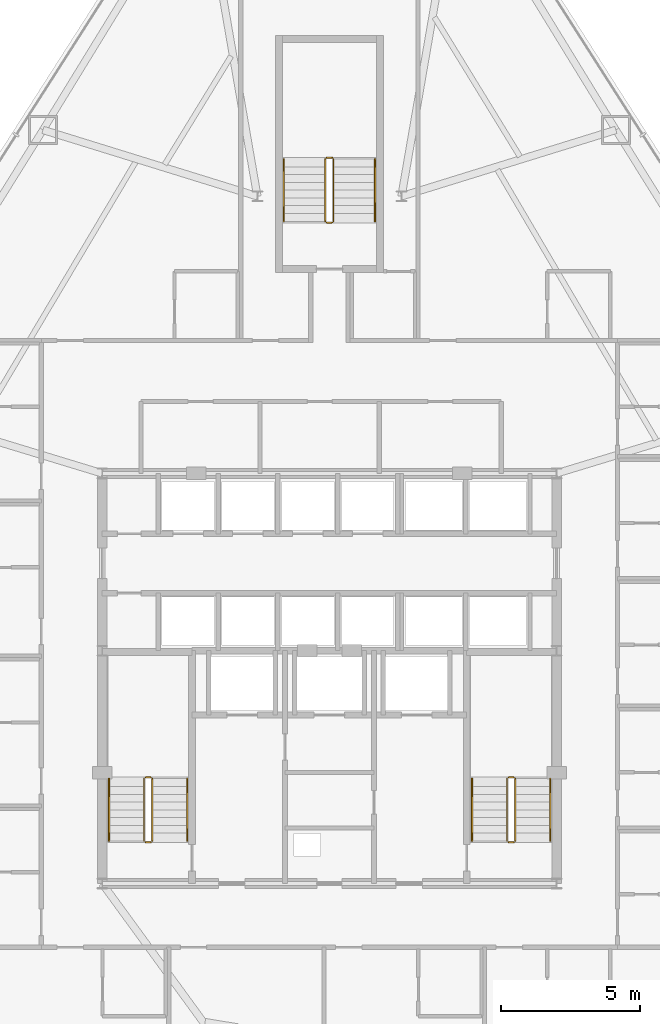
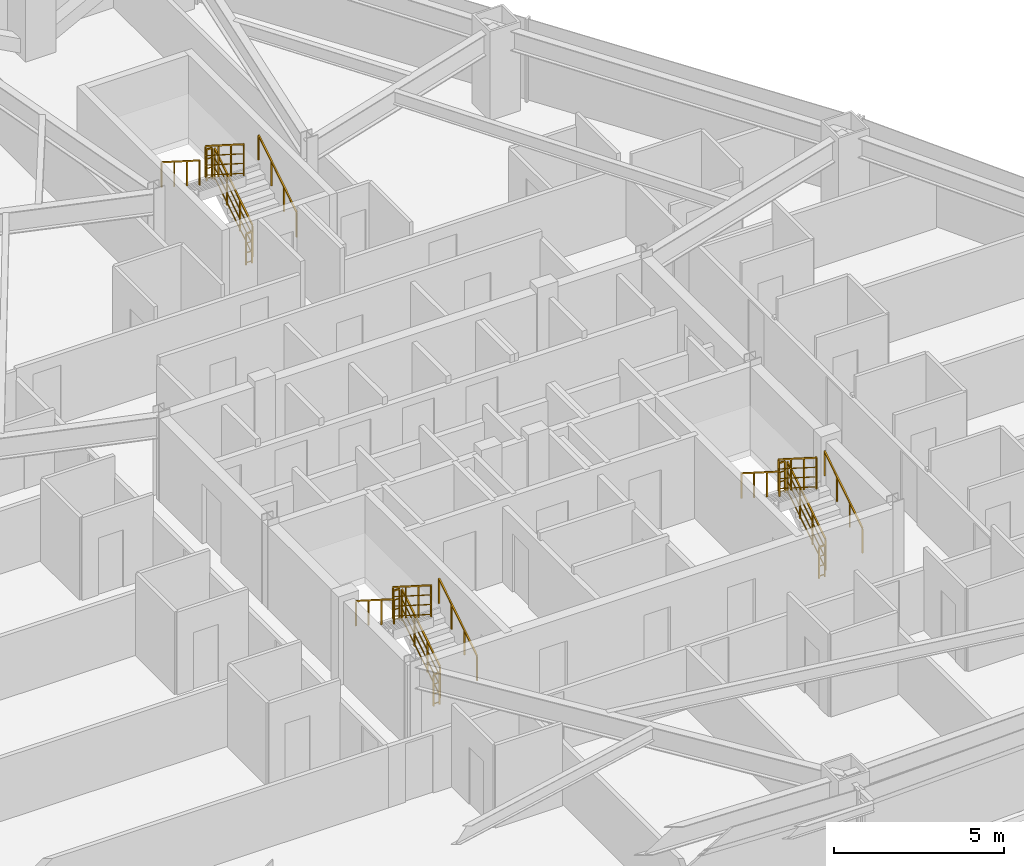
# One storey, part 13 of 13: 18 railings.
"""IFC4 building model written with IfcOpenShell, lengths in metres."""

from ifc_helpers import new_model, si_unit, direction, frame, origin, origin_2d, place, context, subcontext, project, spatial, rectangle, extrude, material, type_object, element, save


model = new_model("IFC4")

# Units and contexts
model_context = context("Model", 3, precision=1e-05, world=origin(), true_north=direction((0.0, 1.0)))
body_context = subcontext(model_context, "Body", "Model", "MODEL_VIEW")
ifc_project = project(units=[si_unit("LENGTHUNIT", "METRE"), si_unit("AREAUNIT", "SQUARE_METRE"), si_unit("VOLUMEUNIT", "CUBIC_METRE"), si_unit("PLANEANGLEUNIT", "RADIAN"), si_unit("MASSUNIT", "GRAM", prefix="KILO")], contexts=[model_context])

# Site, building, storey
site_placement = place(None, origin())
site = spatial("IfcSite", under=ifc_project, at=site_placement, CompositionType="ELEMENT")
building_placement = place(site_placement, origin())
building = spatial("IfcBuilding", under=site, at=building_placement, Name="Varakhsha Concourse Tower", CompositionType="ELEMENT")
storey_placement = place(building_placement, frame((0.0, 0.0, 89.39990234375)))
storey = spatial("IfcBuildingStorey", under=building, at=storey_placement, Name="L25", CompositionType="ELEMENT", Elevation=89.39990234375)

# Railings
ifc_material = material(Name="Brushed Austenitic Stainless Steel AISI 316", Category="steel")
railing_type_1 = type_object("IfcRailingType", Name="RL-STAIR-GUARD-1100", PredefinedType="GUARDRAIL", material=ifc_material)
railing_1_placement = place(storey_placement, frame((33.610107421875, 17.93994140625, 0.177978515625)))
element("IfcRailing", 1, at=railing_1_placement, inside=storey, type_object=railing_type_1, Name="L25 ST1 stair guard 1", PredefinedType="GUARDRAIL", context=body_context, shape_type="SweptSolid", body=[
    extrude(rectangle(XDim=0.048095703125, YDim=0.048095703125, at=origin_2d()), frame((0.0, 0.0, 1.1259765625), z_axis=(0.0, 0.8442293374, 0.53598211339), x_axis=(-1.0, 0.0, 0.0)), (0.0, 0.0, 1.0), 2.6533203125),
    extrude(rectangle(XDim=0.028076171875, YDim=0.028076171875, at=origin_2d()), frame((0.0, 0.0, 0.080078125), z_axis=(0.0, 0.8442293374, 0.53598211339), x_axis=(-1.0, 0.0, 0.0)), (0.0, 0.0, 1.0), 2.6533203125),
    extrude(rectangle(XDim=0.028076171875, YDim=0.028076171875, at=origin_2d()), frame((0.0, 0.0, 0.43701171875), z_axis=(0.0, 0.8442293374, 0.53598211339), x_axis=(-1.0, 0.0, 0.0)), (0.0, 0.0, 1.0), 2.6533203125),
    extrude(rectangle(XDim=0.028076171875, YDim=0.028076171875, at=origin_2d()), frame((0.0, 0.0, 0.781982421875), z_axis=(0.0, 0.8442293374, 0.53598211339), x_axis=(-1.0, 0.0, 0.0)), (0.0, 0.0, 1.0), 2.6533203125),
    extrude(rectangle(XDim=0.0419921875, YDim=0.0419921875, at=origin_2d()), origin(), (0.0, 0.0, 1.0), 1.101806640625),
    extrude(rectangle(XDim=0.0419921875, YDim=0.0419921875, at=origin_2d()), frame((0.0, 0.74658203125, 0.47412109375)), (0.0, 0.0, 1.0), 1.101806640625),
    extrude(rectangle(XDim=0.0419921875, YDim=0.0419921875, at=origin_2d()), frame((0.0, 1.493408203125, 0.947998046875)), (0.0, 0.0, 1.0), 1.101806640625),
    extrude(rectangle(XDim=0.0419921875, YDim=0.0419921875, at=origin_2d()), frame((0.0, 2.239990234375, 1.422119140625)), (0.0, 0.0, 1.0), 1.101806640625),
])
railing_2_placement = place(storey_placement, frame((33.56005859375, 20.22998046875, 1.60009765625)))
element("IfcRailing", 2, at=railing_2_placement, inside=storey, type_object=railing_type_1, Name="L25 ST1 stair guard 2", PredefinedType="GUARDRAIL", context=body_context, shape_type="SweptSolid", body=[
    extrude(rectangle(XDim=0.048095703125, YDim=0.048095703125, at=origin_2d()), frame((0.0, 0.0, 1.1259765625), z_axis=(-1.0, 0.0, 0.0), x_axis=(0.0, -1.0, 0.0)), (0.0, 0.0, 1.0), 0.199951171875),
    extrude(rectangle(XDim=0.028076171875, YDim=0.028076171875, at=origin_2d()), frame((0.0, 0.0, 0.080078125), z_axis=(-1.0, 0.0, 0.0), x_axis=(0.0, -1.0, 0.0)), (0.0, 0.0, 1.0), 0.199951171875),
    extrude(rectangle(XDim=0.028076171875, YDim=0.028076171875, at=origin_2d()), frame((0.0, 0.0, 0.43701171875), z_axis=(-1.0, 0.0, 0.0), x_axis=(0.0, -1.0, 0.0)), (0.0, 0.0, 1.0), 0.199951171875),
    extrude(rectangle(XDim=0.028076171875, YDim=0.028076171875, at=origin_2d()), frame((0.0, 0.0, 0.781982421875), z_axis=(-1.0, 0.0, 0.0), x_axis=(0.0, -1.0, 0.0)), (0.0, 0.0, 1.0), 0.199951171875),
    extrude(rectangle(XDim=0.0419921875, YDim=0.0419921875, at=origin_2d()), origin(), (0.0, 0.0, 1.0), 1.101806640625),
    extrude(rectangle(XDim=0.0419921875, YDim=0.0419921875, at=origin_2d()), frame((-0.199951171875, 0.0, 0.0)), (0.0, 0.0, 1.0), 1.101806640625),
])
railing_3_placement = place(storey_placement, frame((33.31005859375, 20.179931640625, 1.77783203125)))
element("IfcRailing", 3, at=railing_3_placement, inside=storey, type_object=railing_type_1, Name="L25 ST1 stair guard 3", PredefinedType="GUARDRAIL", context=body_context, shape_type="SweptSolid", body=[
    extrude(rectangle(XDim=0.048095703125, YDim=0.048095703125, at=origin_2d()), frame((0.0, 0.0, 1.1259765625), z_axis=(0.0, -0.84418770128, 0.536047689118), x_axis=(1.0, 0.0, 0.0)), (0.0, 0.0, 1.0), 2.6533203125),
    extrude(rectangle(XDim=0.028076171875, YDim=0.028076171875, at=origin_2d()), frame((0.0, 0.0, 0.080078125), z_axis=(0.0, -0.84418770128, 0.536047689118), x_axis=(1.0, 0.0, 0.0)), (0.0, 0.0, 1.0), 2.6533203125),
    extrude(rectangle(XDim=0.028076171875, YDim=0.028076171875, at=origin_2d()), frame((0.0, 0.0, 0.43701171875), z_axis=(0.0, -0.84418770128, 0.536047689118), x_axis=(1.0, 0.0, 0.0)), (0.0, 0.0, 1.0), 2.6533203125),
    extrude(rectangle(XDim=0.028076171875, YDim=0.028076171875, at=origin_2d()), frame((0.0, 0.0, 0.781982421875), z_axis=(0.0, -0.84418770128, 0.536047689118), x_axis=(1.0, 0.0, 0.0)), (0.0, 0.0, 1.0), 2.6533203125),
    extrude(rectangle(XDim=0.0419921875, YDim=0.0419921875, at=origin_2d()), origin(), (0.0, 0.0, 1.0), 1.101806640625),
    extrude(rectangle(XDim=0.0419921875, YDim=0.0419921875, at=origin_2d()), frame((0.0, -0.74658203125, 0.47412109375)), (0.0, 0.0, 1.0), 1.101806640625),
    extrude(rectangle(XDim=0.0419921875, YDim=0.0419921875, at=origin_2d()), frame((0.0, -1.493408203125, 0.9482421875)), (0.0, 0.0, 1.0), 1.101806640625),
    extrude(rectangle(XDim=0.0419921875, YDim=0.0419921875, at=origin_2d()), frame((0.0, -2.239990234375, 1.42236328125)), (0.0, 0.0, 1.0), 1.101806640625),
])
railing_4_placement = place(storey_placement, frame((33.56005859375, 17.889892578125, 0.0)))
element("IfcRailing", 4, at=railing_4_placement, inside=storey, type_object=railing_type_1, Name="L25 ST1 stair guard 4", PredefinedType="GUARDRAIL", context=body_context, shape_type="SweptSolid", body=[
    extrude(rectangle(XDim=0.048095703125, YDim=0.048095703125, at=origin_2d()), frame((0.0, 0.0, 1.1259765625), z_axis=(-1.0, 0.0, 0.0), x_axis=(0.0, -1.0, 0.0)), (0.0, 0.0, 1.0), 0.199951171875),
    extrude(rectangle(XDim=0.028076171875, YDim=0.028076171875, at=origin_2d()), frame((0.0, 0.0, 0.080078125), z_axis=(-1.0, 0.0, 0.0), x_axis=(0.0, -1.0, 0.0)), (0.0, 0.0, 1.0), 0.199951171875),
    extrude(rectangle(XDim=0.028076171875, YDim=0.028076171875, at=origin_2d()), frame((0.0, 0.0, 0.43701171875), z_axis=(-1.0, 0.0, 0.0), x_axis=(0.0, -1.0, 0.0)), (0.0, 0.0, 1.0), 0.199951171875),
    extrude(rectangle(XDim=0.028076171875, YDim=0.028076171875, at=origin_2d()), frame((0.0, 0.0, 0.781982421875), z_axis=(-1.0, 0.0, 0.0), x_axis=(0.0, -1.0, 0.0)), (0.0, 0.0, 1.0), 0.199951171875),
    extrude(rectangle(XDim=0.0419921875, YDim=0.0419921875, at=origin_2d()), origin(), (0.0, 0.0, 1.0), 1.101806640625),
    extrude(rectangle(XDim=0.0419921875, YDim=0.0419921875, at=origin_2d()), frame((-0.199951171875, 0.0, 0.0)), (0.0, 0.0, 1.0), 1.101806640625),
])
railing_5_placement = place(storey_placement, frame((46.7099609375, 17.93994140625, 0.177978515625)))
element("IfcRailing", 5, at=railing_5_placement, inside=storey, type_object=railing_type_1, Name="L25 ST2 stair guard 1", PredefinedType="GUARDRAIL", context=body_context, shape_type="SweptSolid", body=[
    extrude(rectangle(XDim=0.048095703125, YDim=0.048095703125, at=origin_2d()), frame((0.0, 0.0, 1.1259765625), z_axis=(0.0, 0.8442293374, 0.53598211339), x_axis=(-1.0, 0.0, 0.0)), (0.0, 0.0, 1.0), 2.6533203125),
    extrude(rectangle(XDim=0.028076171875, YDim=0.028076171875, at=origin_2d()), frame((0.0, 0.0, 0.080078125), z_axis=(0.0, 0.8442293374, 0.53598211339), x_axis=(-1.0, 0.0, 0.0)), (0.0, 0.0, 1.0), 2.6533203125),
    extrude(rectangle(XDim=0.028076171875, YDim=0.028076171875, at=origin_2d()), frame((0.0, 0.0, 0.43701171875), z_axis=(0.0, 0.8442293374, 0.53598211339), x_axis=(-1.0, 0.0, 0.0)), (0.0, 0.0, 1.0), 2.6533203125),
    extrude(rectangle(XDim=0.028076171875, YDim=0.028076171875, at=origin_2d()), frame((0.0, 0.0, 0.781982421875), z_axis=(0.0, 0.8442293374, 0.53598211339), x_axis=(-1.0, 0.0, 0.0)), (0.0, 0.0, 1.0), 2.6533203125),
    extrude(rectangle(XDim=0.0419921875, YDim=0.0419921875, at=origin_2d()), origin(), (0.0, 0.0, 1.0), 1.101806640625),
    extrude(rectangle(XDim=0.0419921875, YDim=0.0419921875, at=origin_2d()), frame((0.0, 0.74658203125, 0.47412109375)), (0.0, 0.0, 1.0), 1.101806640625),
    extrude(rectangle(XDim=0.0419921875, YDim=0.0419921875, at=origin_2d()), frame((0.0, 1.493408203125, 0.947998046875)), (0.0, 0.0, 1.0), 1.101806640625),
    extrude(rectangle(XDim=0.0419921875, YDim=0.0419921875, at=origin_2d()), frame((0.0, 2.239990234375, 1.422119140625)), (0.0, 0.0, 1.0), 1.101806640625),
])
railing_6_placement = place(storey_placement, frame((46.659912109375, 20.22998046875, 1.60009765625)))
element("IfcRailing", 6, at=railing_6_placement, inside=storey, type_object=railing_type_1, Name="L25 ST2 stair guard 2", PredefinedType="GUARDRAIL", context=body_context, shape_type="SweptSolid", body=[
    extrude(rectangle(XDim=0.048095703125, YDim=0.048095703125, at=origin_2d()), frame((0.0, 0.0, 1.1259765625), z_axis=(-1.0, 0.0, 0.0), x_axis=(0.0, -1.0, 0.0)), (0.0, 0.0, 1.0), 0.199951171875),
    extrude(rectangle(XDim=0.028076171875, YDim=0.028076171875, at=origin_2d()), frame((0.0, 0.0, 0.080078125), z_axis=(-1.0, 0.0, 0.0), x_axis=(0.0, -1.0, 0.0)), (0.0, 0.0, 1.0), 0.199951171875),
    extrude(rectangle(XDim=0.028076171875, YDim=0.028076171875, at=origin_2d()), frame((0.0, 0.0, 0.43701171875), z_axis=(-1.0, 0.0, 0.0), x_axis=(0.0, -1.0, 0.0)), (0.0, 0.0, 1.0), 0.199951171875),
    extrude(rectangle(XDim=0.028076171875, YDim=0.028076171875, at=origin_2d()), frame((0.0, 0.0, 0.781982421875), z_axis=(-1.0, 0.0, 0.0), x_axis=(0.0, -1.0, 0.0)), (0.0, 0.0, 1.0), 0.199951171875),
    extrude(rectangle(XDim=0.0419921875, YDim=0.0419921875, at=origin_2d()), origin(), (0.0, 0.0, 1.0), 1.101806640625),
    extrude(rectangle(XDim=0.0419921875, YDim=0.0419921875, at=origin_2d()), frame((-0.199951171875, 0.0, 0.0)), (0.0, 0.0, 1.0), 1.101806640625),
])
railing_7_placement = place(storey_placement, frame((46.409912109375, 20.179931640625, 1.77783203125)))
element("IfcRailing", 7, at=railing_7_placement, inside=storey, type_object=railing_type_1, Name="L25 ST2 stair guard 3", PredefinedType="GUARDRAIL", context=body_context, shape_type="SweptSolid", body=[
    extrude(rectangle(XDim=0.048095703125, YDim=0.048095703125, at=origin_2d()), frame((0.0, 0.0, 1.1259765625), z_axis=(0.0, -0.84418770128, 0.536047689118), x_axis=(1.0, 0.0, 0.0)), (0.0, 0.0, 1.0), 2.6533203125),
    extrude(rectangle(XDim=0.028076171875, YDim=0.028076171875, at=origin_2d()), frame((0.0, 0.0, 0.080078125), z_axis=(0.0, -0.84418770128, 0.536047689118), x_axis=(1.0, 0.0, 0.0)), (0.0, 0.0, 1.0), 2.6533203125),
    extrude(rectangle(XDim=0.028076171875, YDim=0.028076171875, at=origin_2d()), frame((0.0, 0.0, 0.43701171875), z_axis=(0.0, -0.84418770128, 0.536047689118), x_axis=(1.0, 0.0, 0.0)), (0.0, 0.0, 1.0), 2.6533203125),
    extrude(rectangle(XDim=0.028076171875, YDim=0.028076171875, at=origin_2d()), frame((0.0, 0.0, 0.781982421875), z_axis=(0.0, -0.84418770128, 0.536047689118), x_axis=(1.0, 0.0, 0.0)), (0.0, 0.0, 1.0), 2.6533203125),
    extrude(rectangle(XDim=0.0419921875, YDim=0.0419921875, at=origin_2d()), origin(), (0.0, 0.0, 1.0), 1.101806640625),
    extrude(rectangle(XDim=0.0419921875, YDim=0.0419921875, at=origin_2d()), frame((0.0, -0.74658203125, 0.47412109375)), (0.0, 0.0, 1.0), 1.101806640625),
    extrude(rectangle(XDim=0.0419921875, YDim=0.0419921875, at=origin_2d()), frame((0.0, -1.493408203125, 0.9482421875)), (0.0, 0.0, 1.0), 1.101806640625),
    extrude(rectangle(XDim=0.0419921875, YDim=0.0419921875, at=origin_2d()), frame((0.0, -2.239990234375, 1.42236328125)), (0.0, 0.0, 1.0), 1.101806640625),
])
railing_8_placement = place(storey_placement, frame((46.659912109375, 17.889892578125, 0.0)))
element("IfcRailing", 8, at=railing_8_placement, inside=storey, type_object=railing_type_1, Name="L25 ST2 stair guard 4", PredefinedType="GUARDRAIL", context=body_context, shape_type="SweptSolid", body=[
    extrude(rectangle(XDim=0.048095703125, YDim=0.048095703125, at=origin_2d()), frame((0.0, 0.0, 1.1259765625), z_axis=(-1.0, 0.0, 0.0), x_axis=(0.0, -1.0, 0.0)), (0.0, 0.0, 1.0), 0.199951171875),
    extrude(rectangle(XDim=0.028076171875, YDim=0.028076171875, at=origin_2d()), frame((0.0, 0.0, 0.080078125), z_axis=(-1.0, 0.0, 0.0), x_axis=(0.0, -1.0, 0.0)), (0.0, 0.0, 1.0), 0.199951171875),
    extrude(rectangle(XDim=0.028076171875, YDim=0.028076171875, at=origin_2d()), frame((0.0, 0.0, 0.43701171875), z_axis=(-1.0, 0.0, 0.0), x_axis=(0.0, -1.0, 0.0)), (0.0, 0.0, 1.0), 0.199951171875),
    extrude(rectangle(XDim=0.028076171875, YDim=0.028076171875, at=origin_2d()), frame((0.0, 0.0, 0.781982421875), z_axis=(-1.0, 0.0, 0.0), x_axis=(0.0, -1.0, 0.0)), (0.0, 0.0, 1.0), 0.199951171875),
    extrude(rectangle(XDim=0.0419921875, YDim=0.0419921875, at=origin_2d()), origin(), (0.0, 0.0, 1.0), 1.101806640625),
    extrude(rectangle(XDim=0.0419921875, YDim=0.0419921875, at=origin_2d()), frame((-0.199951171875, 0.0, 0.0)), (0.0, 0.0, 1.0), 1.101806640625),
])
railing_9_placement = place(storey_placement, frame((40.14990234375, 40.300048828125, 0.177978515625)))
element("IfcRailing", 9, at=railing_9_placement, inside=storey, type_object=railing_type_1, Name="L25 ST5 stair guard 1", PredefinedType="GUARDRAIL", context=body_context, shape_type="SweptSolid", body=[
    extrude(rectangle(XDim=0.048095703125, YDim=0.048095703125, at=origin_2d()), frame((0.0, 0.0, 1.1259765625), z_axis=(0.0, 0.8442293374, 0.53598211339), x_axis=(-1.0, 0.0, 0.0)), (0.0, 0.0, 1.0), 2.6533203125),
    extrude(rectangle(XDim=0.028076171875, YDim=0.028076171875, at=origin_2d()), frame((0.0, 0.0, 0.080078125), z_axis=(0.0, 0.8442293374, 0.53598211339), x_axis=(-1.0, 0.0, 0.0)), (0.0, 0.0, 1.0), 2.6533203125),
    extrude(rectangle(XDim=0.028076171875, YDim=0.028076171875, at=origin_2d()), frame((0.0, 0.0, 0.43701171875), z_axis=(0.0, 0.8442293374, 0.53598211339), x_axis=(-1.0, 0.0, 0.0)), (0.0, 0.0, 1.0), 2.6533203125),
    extrude(rectangle(XDim=0.028076171875, YDim=0.028076171875, at=origin_2d()), frame((0.0, 0.0, 0.781982421875), z_axis=(0.0, 0.8442293374, 0.53598211339), x_axis=(-1.0, 0.0, 0.0)), (0.0, 0.0, 1.0), 2.6533203125),
    extrude(rectangle(XDim=0.0419921875, YDim=0.0419921875, at=origin_2d()), origin(), (0.0, 0.0, 1.0), 1.101806640625),
    extrude(rectangle(XDim=0.0419921875, YDim=0.0419921875, at=origin_2d()), frame((0.0, 0.74658203125, 0.47412109375)), (0.0, 0.0, 1.0), 1.101806640625),
    extrude(rectangle(XDim=0.0419921875, YDim=0.0419921875, at=origin_2d()), frame((0.0, 1.493408203125, 0.947998046875)), (0.0, 0.0, 1.0), 1.101806640625),
    extrude(rectangle(XDim=0.0419921875, YDim=0.0419921875, at=origin_2d()), frame((0.0, 2.239990234375, 1.422119140625)), (0.0, 0.0, 1.0), 1.101806640625),
])
railing_10_placement = place(storey_placement, frame((40.10009765625, 42.590087890625, 1.60009765625)))
element("IfcRailing", 10, at=railing_10_placement, inside=storey, type_object=railing_type_1, Name="L25 ST5 stair guard 2", PredefinedType="GUARDRAIL", context=body_context, shape_type="SweptSolid", body=[
    extrude(rectangle(XDim=0.048095703125, YDim=0.048095703125, at=origin_2d()), frame((0.0, 0.0, 1.1259765625), z_axis=(-1.0, 0.0, 0.0), x_axis=(0.0, -1.0, 0.0)), (0.0, 0.0, 1.0), 0.2001953125),
    extrude(rectangle(XDim=0.028076171875, YDim=0.028076171875, at=origin_2d()), frame((0.0, 0.0, 0.080078125), z_axis=(-1.0, 0.0, 0.0), x_axis=(0.0, -1.0, 0.0)), (0.0, 0.0, 1.0), 0.2001953125),
    extrude(rectangle(XDim=0.028076171875, YDim=0.028076171875, at=origin_2d()), frame((0.0, 0.0, 0.43701171875), z_axis=(-1.0, 0.0, 0.0), x_axis=(0.0, -1.0, 0.0)), (0.0, 0.0, 1.0), 0.2001953125),
    extrude(rectangle(XDim=0.028076171875, YDim=0.028076171875, at=origin_2d()), frame((0.0, 0.0, 0.781982421875), z_axis=(-1.0, 0.0, 0.0), x_axis=(0.0, -1.0, 0.0)), (0.0, 0.0, 1.0), 0.2001953125),
    extrude(rectangle(XDim=0.0419921875, YDim=0.0419921875, at=origin_2d()), origin(), (0.0, 0.0, 1.0), 1.101806640625),
    extrude(rectangle(XDim=0.0419921875, YDim=0.0419921875, at=origin_2d()), frame((-0.2001953125, 0.0, 0.0)), (0.0, 0.0, 1.0), 1.101806640625),
])
railing_11_placement = place(storey_placement, frame((39.85009765625, 42.5400390625, 1.77783203125)))
element("IfcRailing", 11, at=railing_11_placement, inside=storey, type_object=railing_type_1, Name="L25 ST5 stair guard 3", PredefinedType="GUARDRAIL", context=body_context, shape_type="SweptSolid", body=[
    extrude(rectangle(XDim=0.048095703125, YDim=0.048095703125, at=origin_2d()), frame((0.0, 0.0, 1.1259765625), z_axis=(0.0, -0.84418770128, 0.536047689118), x_axis=(1.0, 0.0, 0.0)), (0.0, 0.0, 1.0), 2.6533203125),
    extrude(rectangle(XDim=0.028076171875, YDim=0.028076171875, at=origin_2d()), frame((0.0, 0.0, 0.080078125), z_axis=(0.0, -0.84418770128, 0.536047689118), x_axis=(1.0, 0.0, 0.0)), (0.0, 0.0, 1.0), 2.6533203125),
    extrude(rectangle(XDim=0.028076171875, YDim=0.028076171875, at=origin_2d()), frame((0.0, 0.0, 0.43701171875), z_axis=(0.0, -0.84418770128, 0.536047689118), x_axis=(1.0, 0.0, 0.0)), (0.0, 0.0, 1.0), 2.6533203125),
    extrude(rectangle(XDim=0.028076171875, YDim=0.028076171875, at=origin_2d()), frame((0.0, 0.0, 0.781982421875), z_axis=(0.0, -0.84418770128, 0.536047689118), x_axis=(1.0, 0.0, 0.0)), (0.0, 0.0, 1.0), 2.6533203125),
    extrude(rectangle(XDim=0.0419921875, YDim=0.0419921875, at=origin_2d()), origin(), (0.0, 0.0, 1.0), 1.101806640625),
    extrude(rectangle(XDim=0.0419921875, YDim=0.0419921875, at=origin_2d()), frame((0.0, -0.74658203125, 0.47412109375)), (0.0, 0.0, 1.0), 1.101806640625),
    extrude(rectangle(XDim=0.0419921875, YDim=0.0419921875, at=origin_2d()), frame((0.0, -1.493408203125, 0.9482421875)), (0.0, 0.0, 1.0), 1.101806640625),
    extrude(rectangle(XDim=0.0419921875, YDim=0.0419921875, at=origin_2d()), frame((0.0, -2.239990234375, 1.42236328125)), (0.0, 0.0, 1.0), 1.101806640625),
])
railing_12_placement = place(storey_placement, frame((40.10009765625, 40.25, 0.0)))
element("IfcRailing", 12, at=railing_12_placement, inside=storey, type_object=railing_type_1, Name="L25 ST5 stair guard 4", PredefinedType="GUARDRAIL", context=body_context, shape_type="SweptSolid", body=[
    extrude(rectangle(XDim=0.048095703125, YDim=0.048095703125, at=origin_2d()), frame((0.0, 0.0, 1.1259765625), z_axis=(-1.0, 0.0, 0.0), x_axis=(0.0, -1.0, 0.0)), (0.0, 0.0, 1.0), 0.2001953125),
    extrude(rectangle(XDim=0.028076171875, YDim=0.028076171875, at=origin_2d()), frame((0.0, 0.0, 0.080078125), z_axis=(-1.0, 0.0, 0.0), x_axis=(0.0, -1.0, 0.0)), (0.0, 0.0, 1.0), 0.2001953125),
    extrude(rectangle(XDim=0.028076171875, YDim=0.028076171875, at=origin_2d()), frame((0.0, 0.0, 0.43701171875), z_axis=(-1.0, 0.0, 0.0), x_axis=(0.0, -1.0, 0.0)), (0.0, 0.0, 1.0), 0.2001953125),
    extrude(rectangle(XDim=0.028076171875, YDim=0.028076171875, at=origin_2d()), frame((0.0, 0.0, 0.781982421875), z_axis=(-1.0, 0.0, 0.0), x_axis=(0.0, -1.0, 0.0)), (0.0, 0.0, 1.0), 0.2001953125),
    extrude(rectangle(XDim=0.0419921875, YDim=0.0419921875, at=origin_2d()), origin(), (0.0, 0.0, 1.0), 1.101806640625),
    extrude(rectangle(XDim=0.0419921875, YDim=0.0419921875, at=origin_2d()), frame((-0.2001953125, 0.0, 0.0)), (0.0, 0.0, 1.0), 1.101806640625),
])
railing_type_2 = type_object("IfcRailingType", Name="RL-STAIR-RAIL-915", PredefinedType="HANDRAIL", material=ifc_material)
railing_13_placement = place(storey_placement, frame((34.8701171875, 17.93994140625, 0.355712890625)))
element("IfcRailing", 13, at=railing_13_placement, inside=storey, type_object=railing_type_2, Name="L25 ST1 stair handrail 1", PredefinedType="HANDRAIL", context=body_context, shape_type="SweptSolid", body=[
    extrude(rectangle(XDim=0.048095703125, YDim=0.048095703125, at=origin_2d()), frame((0.0, 0.0, 0.89111328125), z_axis=(0.0, 0.8442293374, 0.53598211339), x_axis=(-1.0, 0.0, 0.0)), (0.0, 0.0, 1.0), 2.6533203125),
    extrude(rectangle(XDim=0.0419921875, YDim=0.0419921875, at=origin_2d()), origin(), (0.0, 0.0, 1.0), 0.866943359375),
    extrude(rectangle(XDim=0.0419921875, YDim=0.0419921875, at=origin_2d()), frame((0.0, 0.74658203125, 0.47412109375)), (0.0, 0.0, 1.0), 0.866943359375),
    extrude(rectangle(XDim=0.0419921875, YDim=0.0419921875, at=origin_2d()), frame((0.0, 1.493408203125, 0.947998046875)), (0.0, 0.0, 1.0), 0.866943359375),
    extrude(rectangle(XDim=0.0419921875, YDim=0.0419921875, at=origin_2d()), frame((0.0, 2.239990234375, 1.422119140625)), (0.0, 0.0, 1.0), 0.866943359375),
])
railing_14_placement = place(storey_placement, frame((32.050048828125, 20.179931640625, 1.95556640625)))
element("IfcRailing", 14, at=railing_14_placement, inside=storey, type_object=railing_type_2, Name="L25 ST1 stair handrail 2", PredefinedType="HANDRAIL", context=body_context, shape_type="SweptSolid", body=[
    extrude(rectangle(XDim=0.048095703125, YDim=0.048095703125, at=origin_2d()), frame((0.0, 0.0, 0.89111328125), z_axis=(0.0, -0.84418770128, 0.536047689118), x_axis=(1.0, 0.0, 0.0)), (0.0, 0.0, 1.0), 2.6533203125),
    extrude(rectangle(XDim=0.0419921875, YDim=0.0419921875, at=origin_2d()), origin(), (0.0, 0.0, 1.0), 0.866943359375),
    extrude(rectangle(XDim=0.0419921875, YDim=0.0419921875, at=origin_2d()), frame((0.0, -0.74658203125, 0.47412109375)), (0.0, 0.0, 1.0), 0.866943359375),
    extrude(rectangle(XDim=0.0419921875, YDim=0.0419921875, at=origin_2d()), frame((0.0, -1.493408203125, 0.9482421875)), (0.0, 0.0, 1.0), 0.866943359375),
    extrude(rectangle(XDim=0.0419921875, YDim=0.0419921875, at=origin_2d()), frame((0.0, -2.239990234375, 1.42236328125)), (0.0, 0.0, 1.0), 0.866943359375),
])
railing_15_placement = place(storey_placement, frame((47.969970703125, 17.93994140625, 0.355712890625)))
element("IfcRailing", 15, at=railing_15_placement, inside=storey, type_object=railing_type_2, Name="L25 ST2 stair handrail 1", PredefinedType="HANDRAIL", context=body_context, shape_type="SweptSolid", body=[
    extrude(rectangle(XDim=0.048095703125, YDim=0.048095703125, at=origin_2d()), frame((0.0, 0.0, 0.89111328125), z_axis=(0.0, 0.8442293374, 0.53598211339), x_axis=(-1.0, 0.0, 0.0)), (0.0, 0.0, 1.0), 2.6533203125),
    extrude(rectangle(XDim=0.0419921875, YDim=0.0419921875, at=origin_2d()), origin(), (0.0, 0.0, 1.0), 0.866943359375),
    extrude(rectangle(XDim=0.0419921875, YDim=0.0419921875, at=origin_2d()), frame((0.0, 0.74658203125, 0.47412109375)), (0.0, 0.0, 1.0), 0.866943359375),
    extrude(rectangle(XDim=0.0419921875, YDim=0.0419921875, at=origin_2d()), frame((0.0, 1.493408203125, 0.947998046875)), (0.0, 0.0, 1.0), 0.866943359375),
    extrude(rectangle(XDim=0.0419921875, YDim=0.0419921875, at=origin_2d()), frame((0.0, 2.239990234375, 1.422119140625)), (0.0, 0.0, 1.0), 0.866943359375),
])
railing_16_placement = place(storey_placement, frame((45.14990234375, 20.179931640625, 1.95556640625)))
element("IfcRailing", 16, at=railing_16_placement, inside=storey, type_object=railing_type_2, Name="L25 ST2 stair handrail 2", PredefinedType="HANDRAIL", context=body_context, shape_type="SweptSolid", body=[
    extrude(rectangle(XDim=0.048095703125, YDim=0.048095703125, at=origin_2d()), frame((0.0, 0.0, 0.89111328125), z_axis=(0.0, -0.84418770128, 0.536047689118), x_axis=(1.0, 0.0, 0.0)), (0.0, 0.0, 1.0), 2.6533203125),
    extrude(rectangle(XDim=0.0419921875, YDim=0.0419921875, at=origin_2d()), origin(), (0.0, 0.0, 1.0), 0.866943359375),
    extrude(rectangle(XDim=0.0419921875, YDim=0.0419921875, at=origin_2d()), frame((0.0, -0.74658203125, 0.47412109375)), (0.0, 0.0, 1.0), 0.866943359375),
    extrude(rectangle(XDim=0.0419921875, YDim=0.0419921875, at=origin_2d()), frame((0.0, -1.493408203125, 0.9482421875)), (0.0, 0.0, 1.0), 0.866943359375),
    extrude(rectangle(XDim=0.0419921875, YDim=0.0419921875, at=origin_2d()), frame((0.0, -2.239990234375, 1.42236328125)), (0.0, 0.0, 1.0), 0.866943359375),
])
railing_17_placement = place(storey_placement, frame((41.64990234375, 40.300048828125, 0.355712890625)))
element("IfcRailing", 17, at=railing_17_placement, inside=storey, type_object=railing_type_2, Name="L25 ST5 stair handrail 1", PredefinedType="HANDRAIL", context=body_context, shape_type="SweptSolid", body=[
    extrude(rectangle(XDim=0.048095703125, YDim=0.048095703125, at=origin_2d()), frame((0.0, 0.0, 0.89111328125), z_axis=(0.0, 0.8442293374, 0.53598211339), x_axis=(-1.0, 0.0, 0.0)), (0.0, 0.0, 1.0), 2.6533203125),
    extrude(rectangle(XDim=0.0419921875, YDim=0.0419921875, at=origin_2d()), origin(), (0.0, 0.0, 1.0), 0.866943359375),
    extrude(rectangle(XDim=0.0419921875, YDim=0.0419921875, at=origin_2d()), frame((0.0, 0.74658203125, 0.47412109375)), (0.0, 0.0, 1.0), 0.866943359375),
    extrude(rectangle(XDim=0.0419921875, YDim=0.0419921875, at=origin_2d()), frame((0.0, 1.493408203125, 0.947998046875)), (0.0, 0.0, 1.0), 0.866943359375),
    extrude(rectangle(XDim=0.0419921875, YDim=0.0419921875, at=origin_2d()), frame((0.0, 2.239990234375, 1.422119140625)), (0.0, 0.0, 1.0), 0.866943359375),
])
railing_18_placement = place(storey_placement, frame((38.35009765625, 42.5400390625, 1.95556640625)))
element("IfcRailing", 18, at=railing_18_placement, inside=storey, type_object=railing_type_2, Name="L25 ST5 stair handrail 2", PredefinedType="HANDRAIL", context=body_context, shape_type="SweptSolid", body=[
    extrude(rectangle(XDim=0.048095703125, YDim=0.048095703125, at=origin_2d()), frame((0.0, 0.0, 0.89111328125), z_axis=(0.0, -0.84418770128, 0.536047689118), x_axis=(1.0, 0.0, 0.0)), (0.0, 0.0, 1.0), 2.6533203125),
    extrude(rectangle(XDim=0.0419921875, YDim=0.0419921875, at=origin_2d()), origin(), (0.0, 0.0, 1.0), 0.866943359375),
    extrude(rectangle(XDim=0.0419921875, YDim=0.0419921875, at=origin_2d()), frame((0.0, -0.74658203125, 0.47412109375)), (0.0, 0.0, 1.0), 0.866943359375),
    extrude(rectangle(XDim=0.0419921875, YDim=0.0419921875, at=origin_2d()), frame((0.0, -1.493408203125, 0.9482421875)), (0.0, 0.0, 1.0), 0.866943359375),
    extrude(rectangle(XDim=0.0419921875, YDim=0.0419921875, at=origin_2d()), frame((0.0, -2.239990234375, 1.42236328125)), (0.0, 0.0, 1.0), 0.866943359375),
])

save(model, "model.ifc")
